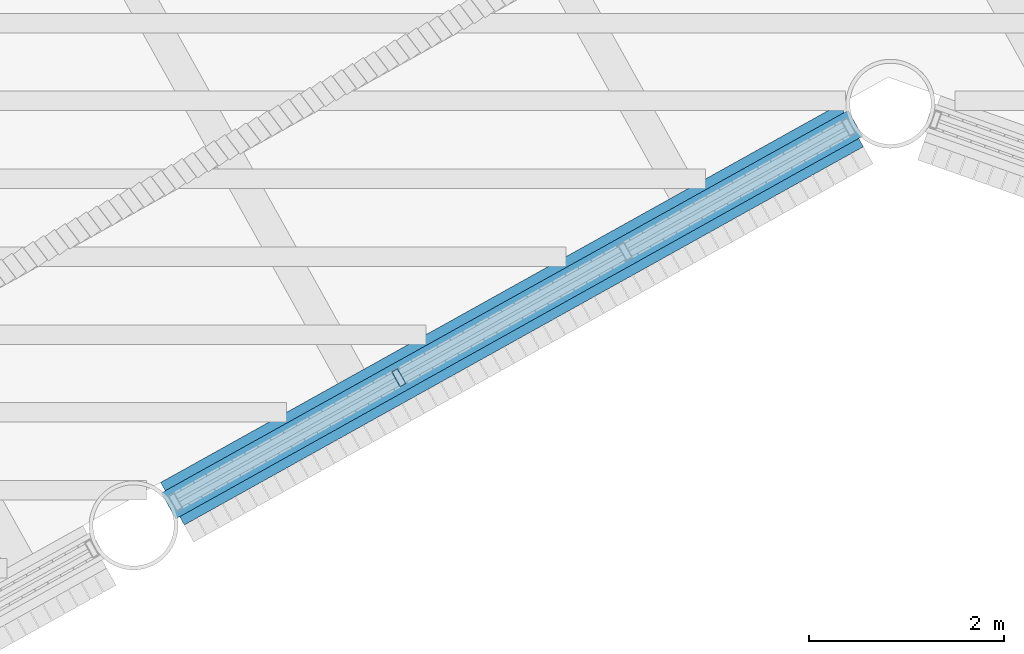
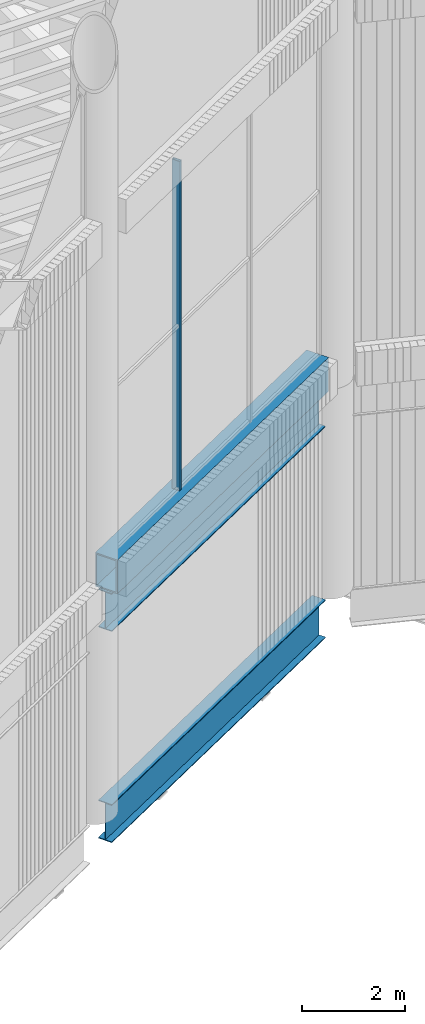
# One storey, part 10 of 117: 3 beams, 1 member, 1 element without a shape of its own.
"""IFC4 building model written with IfcOpenShell, lengths in metres."""

from ifc_helpers import new_model, si_unit, direction, frame, origin, origin_2d, place, context, subcontext, project, spatial, hollow_rectangle, i_section, extrude, material, layer, layer_set, material_profile, profile_set, type_object, element, aggregate, save


model = new_model("IFC4")

# Units and contexts
model_context = context("Model", 3, precision=1e-05, world=origin(), true_north=direction((0.0, 1.0)))
body_context = subcontext(model_context, "Body", "Model", "MODEL_VIEW")
ifc_project = project(units=[si_unit("LENGTHUNIT", "METRE"), si_unit("AREAUNIT", "SQUARE_METRE"), si_unit("VOLUMEUNIT", "CUBIC_METRE"), si_unit("PLANEANGLEUNIT", "RADIAN"), si_unit("MASSUNIT", "GRAM", prefix="KILO")], contexts=[model_context])

# Site, building, storey
site_placement = place(None, origin())
site = spatial("IfcSite", under=ifc_project, at=site_placement, CompositionType="ELEMENT")
building_placement = place(site_placement, origin())
building = spatial("IfcBuilding", under=site, at=building_placement, Name="Tarsis Ring Headquarters", CompositionType="ELEMENT")
storey_placement = place(building_placement, frame((0.0, 0.0, 403.60009765625)))
storey = spatial("IfcBuildingStorey", under=building, at=storey_placement, Name="L95", CompositionType="ELEMENT", Elevation=403.60009765625)

# Beam
ifc_material_1 = material(Name="Structural steel S355", Category="steel")
ifc_material_profile_1 = material_profile(ifc_material_1, hollow_rectangle(XDim=0.5, YDim=0.800048828125, WallThickness=0.030029296875, at=origin_2d()), Name="RHS 800x500x30")
ifc_profile_set_1 = profile_set([ifc_material_profile_1], Name="Structural steel S355")
beam_type_1 = type_object("IfcBeamType", Name="Crown frame ring beam RHS 800x500x30", PredefinedType="BEAM", material=ifc_profile_set_1)
beam_placement = place(storey_placement, frame((-22.01171875, -29.202880859375, 5.39990234375), z_axis=(0.873598789311, 0.486646848664, 0.0), x_axis=(-0.486646848664, 0.873598789311, 0.0)))
element("IfcBeam", 1, at=beam_placement, inside=storey, type_object=beam_type_1, Name="Crown frame ring beam R19", PredefinedType="BEAM", context=body_context, shape_type="SweptSolid", body=[
    extrude(hollow_rectangle(XDim=0.5, YDim=0.800048828125, WallThickness=0.030029296875, at=origin_2d()), origin(), (0.0, 0.0, 1.0), 7.98828125),
])

# Curtain wall, member
ifc_material_2 = material(Name="Aluminium curtain wall", Category="aluminium")
ifc_layer = layer(ifc_material_2, 0.179931640625)
ifc_layer_set = layer_set([ifc_layer], Name="Curtain wall crown glazing")
curtain_wall_type = type_object("IfcCurtainWallType", Name="Curtain wall crown glazing", PredefinedType="NOTDEFINED", material=ifc_layer_set)
curtain_wall_placement = place(storey_placement, origin())
curtain_wall = element("IfcCurtainWall", 2, at=curtain_wall_placement, inside=storey, type_object=curtain_wall_type, Name="Crown glazing L19", PredefinedType="NOTDEFINED")
ifc_material_3 = material(Name="Aluminium mullion", Category="aluminium")
ifc_material_profile_2 = material_profile(ifc_material_3, hollow_rectangle(XDim=0.179931640625, YDim=0.070068359375, WallThickness=0.0048828125, at=origin_2d()), Name="RHS 180x70x5")
ifc_profile_set_2 = profile_set([ifc_material_profile_2], Name="Aluminium mullion")
member_type = type_object("IfcMemberType", Name="Crown glazing mullion RHS 180x70x5", PredefinedType="MULLION", material=ifc_profile_set_2)
member_placement = place(storey_placement, frame((-19.685546875, -27.9072265625, 5.7998046875), z_axis=(0.0, 0.0, 1.0), x_axis=(-0.486640205409, 0.873602489969, 0.0)))
member = element("IfcMember", 3, at=member_placement, type_object=member_type, Name="CW-C mullion 2", PredefinedType="MULLION", context=body_context, shape_type="SweptSolid", body=[
    extrude(hollow_rectangle(XDim=0.179931640625, YDim=0.070068359375, WallThickness=0.0048828125, at=origin_2d()), origin(), (0.0, 0.0, 1.0), 7.800048828125),
])
aggregate(curtain_wall, [member])

# Beams
ifc_material_profile_3 = material_profile(ifc_material_1, i_section(OverallWidth=0.3046875, OverallDepth=0.904296875, WebThickness=0.01513671875, FlangeThickness=0.02001953125, at=origin_2d()), Name="W36x135")
ifc_profile_set_3 = profile_set([ifc_material_profile_3], Name="Structural steel S355")
beam_type_2 = type_object("IfcBeamType", Name="XG Ring girder W36x135", PredefinedType="BEAM", material=ifc_profile_set_3)
for number, where, z_axis, x_axis, name in (
    (4, (-22.051513671875, -29.22509765625, -0.4521484375), (0.873606516854, 0.48663297639, 0.0), (-0.48663297639, 0.873606516854, 0.0), "Ring girder XG5"),
    (5, (-22.051513671875, -29.22509765625, 4.5478515625), (0.873606516854, 0.48663297639, 0.0), (-0.48663297639, 0.873606516854, 0.0), "Ring girder XG5"),
):
    element("IfcBeam", number, at=place(storey_placement, frame(where, z_axis=z_axis, x_axis=x_axis)), inside=storey, type_object=beam_type_2, Name=name, PredefinedType="BEAM", context=body_context, shape_type="SweptSolid", body=[
        extrude(i_section(OverallWidth=0.3046875, OverallDepth=0.904296875, WebThickness=0.01513671875, FlangeThickness=0.02001953125, at=origin_2d()), origin(), (0.0, 0.0, 1.0), 8.079345703125),
    ])

save(model, "model.ifc")
